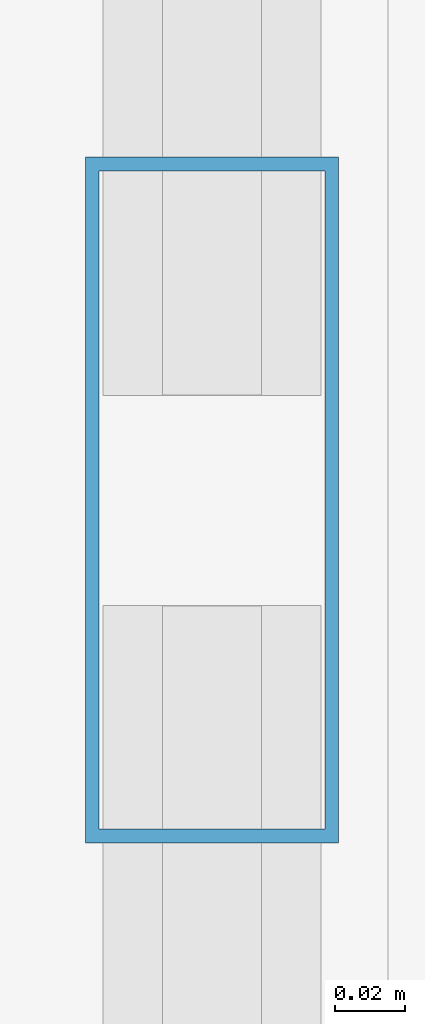
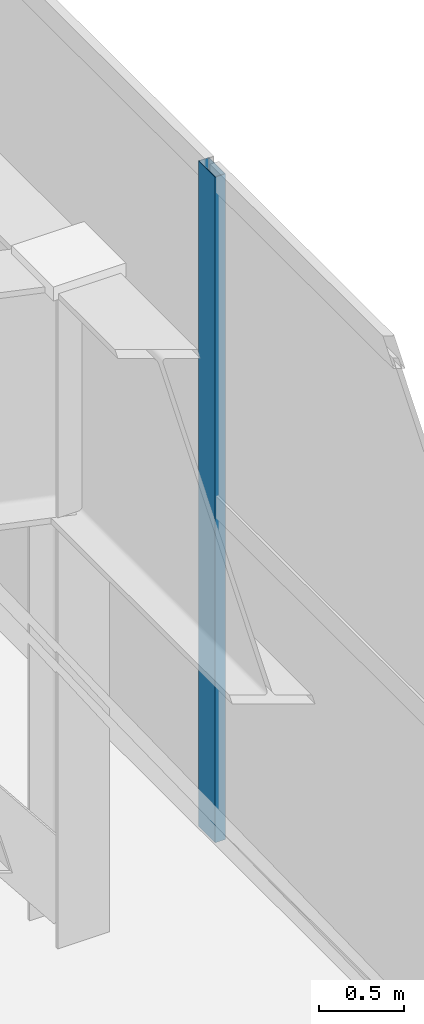
# One storey, part 8 of 20: 1 member, 1 element without a shape of its own.
"""IFC4 building model written with IfcOpenShell, lengths in metres."""

from ifc_helpers import new_model, si_unit, direction, frame, origin, origin_2d, place, context, subcontext, project, spatial, hollow_rectangle, extrude, material, layer, layer_set, material_profile, profile_set, type_object, element, aggregate, save


model = new_model("IFC4")

# Units and contexts
model_context = context("Model", 3, precision=1e-05, world=origin(), true_north=direction((0.0, 1.0)))
body_context = subcontext(model_context, "Body", "Model", "MODEL_VIEW")
ifc_project = project(units=[si_unit("LENGTHUNIT", "METRE"), si_unit("AREAUNIT", "SQUARE_METRE"), si_unit("VOLUMEUNIT", "CUBIC_METRE"), si_unit("PLANEANGLEUNIT", "RADIAN"), si_unit("MASSUNIT", "GRAM", prefix="KILO")], contexts=[model_context])

# Site, building, storey
site_placement = place(None, origin())
site = spatial("IfcSite", under=ifc_project, at=site_placement, CompositionType="ELEMENT")
building_placement = place(site_placement, origin())
building = spatial("IfcBuilding", under=site, at=building_placement, Name="Calvorn Quay Hotel", CompositionType="ELEMENT")
storey_placement = place(building_placement, frame((0.0, 0.0, 335.5)))
storey = spatial("IfcBuildingStorey", under=building, at=storey_placement, Name="L82", CompositionType="ELEMENT", Elevation=335.5)

# Curtain wall, member
ifc_material_1 = material(Name="Pale Anodised Aluminium and Laminated Glass", Category="aluminium")
ifc_layer = layer(ifc_material_1, 0.219970703125)
ifc_layer_set = layer_set([ifc_layer], Name="CW-SYS-CRN")
curtain_wall_type = type_object("IfcCurtainWallType", Name="CW-SYS-CRN", PredefinedType="NOTDEFINED", material=ifc_layer_set)
curtain_wall_placement = place(storey_placement, origin())
curtain_wall = element("IfcCurtainWall", 1, at=curtain_wall_placement, inside=storey, type_object=curtain_wall_type, Name="Crown Curtain Wall L82-C2", PredefinedType="NOTDEFINED")
ifc_material_2 = material(Name="Pale Anodised Aluminium 6063-T6", Category="aluminium")
ifc_material_profile = material_profile(ifc_material_2, hollow_rectangle(XDim=0.072021484375, YDim=0.195068359375, WallThickness=0.00390625, at=origin_2d()), Name="ALU-M195x72x4")
ifc_profile_set = profile_set([ifc_material_profile], Name="Pale Anodised Aluminium 6063-T6")
member_type = type_object("IfcMemberType", Name="CW-SYS-CRN-MUL", PredefinedType="MULLION", material=ifc_profile_set)
member_placement = place(storey_placement, frame((24.5830078125, 14.60009765625, 0.0), z_axis=(0.0, 0.0, 1.0), x_axis=(-1.0, 0.0, 0.0)))
member = element("IfcMember", 2, at=member_placement, type_object=member_type, Name="CW-L82-C2 mullion 2", PredefinedType="MULLION", context=body_context, shape_type="SweptSolid", body=[
    extrude(hollow_rectangle(XDim=0.072021484375, YDim=0.195068359375, WallThickness=0.00390625, at=origin_2d()), origin(), (0.0, 0.0, 1.0), 4.760009765625),
])
aggregate(curtain_wall, [member])

save(model, "model.ifc")
